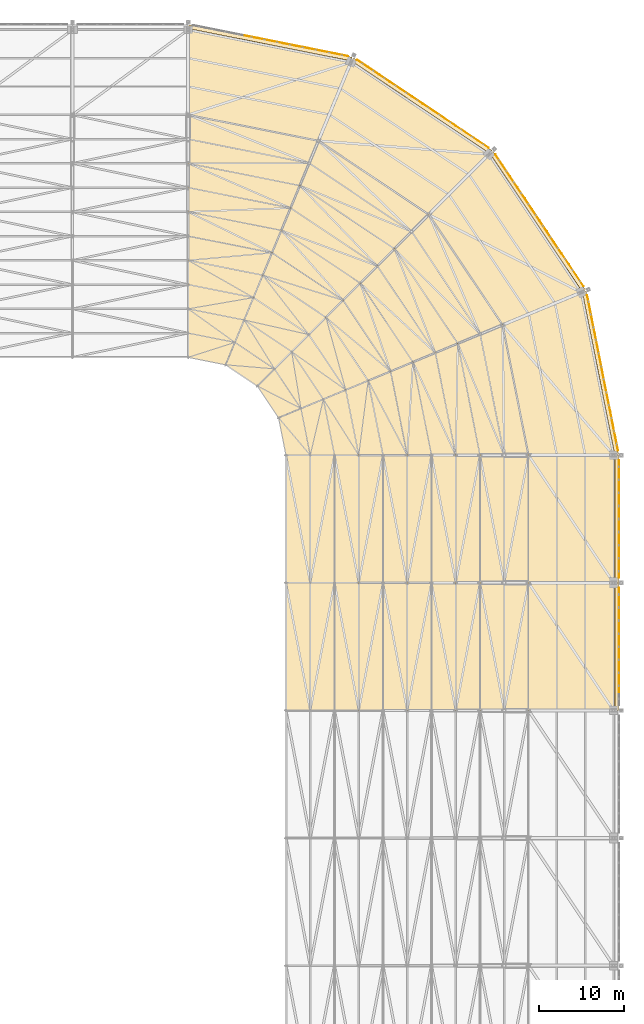
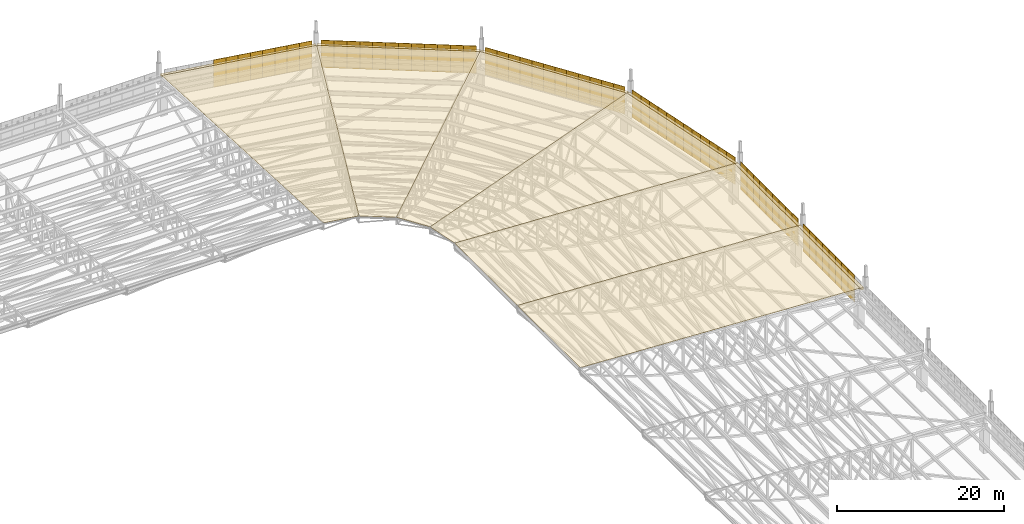
# One storey, part 278 of 278: 61 shading devices, 12 coverings.
"""IFC4 building model written with IfcOpenShell, lengths in metres."""

from ifc_helpers import new_model, si_unit, direction, frame, origin, origin_2d, place, context, subcontext, project, spatial, polyline, rectangle, outline, extrude, material, layer, layer_set, type_object, element, save


model = new_model("IFC4")

# Units and contexts
model_context = context("Model", 3, precision=1e-05, world=origin(), true_north=direction((0.0, 1.0)))
body_context = subcontext(model_context, "Body", "Model", "MODEL_VIEW")
ifc_project = project(units=[si_unit("LENGTHUNIT", "METRE"), si_unit("AREAUNIT", "SQUARE_METRE"), si_unit("VOLUMEUNIT", "CUBIC_METRE"), si_unit("PLANEANGLEUNIT", "RADIAN"), si_unit("MASSUNIT", "GRAM", prefix="KILO")], contexts=[model_context])

# Site, building, storey
site_placement = place(None, origin())
site = spatial("IfcSite", under=ifc_project, at=site_placement, CompositionType="ELEMENT")
building_placement = place(site_placement, origin())
building = spatial("IfcBuilding", under=site, at=building_placement, Name="Ogive Plaza Stadium", CompositionType="ELEMENT")
storey_placement = place(building_placement, frame((0.0, 0.0, 29.0)))
storey = spatial("IfcBuildingStorey", under=building, at=storey_placement, Name="Roof", CompositionType="ELEMENT", Elevation=29.0)

# Coverings
ifc_material_1 = material(Name="Titanium-zinc sheet", Category="metal")
ifc_layer_1 = layer(ifc_material_1, 0.010009765625)
ifc_layer_set_1 = layer_set([ifc_layer_1], Name="Eave box gutter")
covering_type_1 = type_object("IfcCoveringType", Name="Eave box gutter", PredefinedType="CLADDING", material=ifc_layer_set_1)
for number, where, z_axis, x_axis, name in (
    (1, (84.37744140625, 45.0, 5.2001953125), (0.0, 0.0, 1.0), (0.0, -1.0, 0.0), "EAVE GUTTER B01"),
    (2, (84.37744140625, 30.0, 5.2001953125), (0.0, 0.0, 1.0), (0.0, -1.0, 0.0), "EAVE GUTTER B02"),
):
    element("IfcCovering", number, at=place(storey_placement, frame(where, z_axis=z_axis, x_axis=x_axis)), inside=storey, type_object=covering_type_1, Name=name, PredefinedType="CLADDING", context=body_context, shape_type="SweptSolid", body=[
        extrude(rectangle(XDim=15.0, YDim=0.449951171875, at=origin_2d()), origin(), (0.0, 0.0, 1.0), 0.300048828125),
    ])
for number, where, z_axis, x_axis, name in (
    (3, (43.64013671875, 100.96435546875, 5.2001953125), (0.0, 0.0, 1.0), (0.980785280403, -0.195090322016, 0.0), "EAVE GUTTER B37"),
    (4, (61.452880859375, 93.5859375, 5.2001953125), (0.0, 0.0, 1.0), (0.831469612303, -0.55557023302, 0.0), "EAVE GUTTER B38"),
    (5, (75.0859375, 79.952880859375, 5.2001953125), (0.0, 0.0, 1.0), (0.55557023302, -0.831469612303, 0.0), "EAVE GUTTER B39"),
    (6, (82.46435546875, 62.14013671875, 5.2001953125), (0.0, 0.0, 1.0), (0.195090322016, -0.980785280403, 0.0), "EAVE GUTTER B40"),
):
    element("IfcCovering", number, at=place(storey_placement, frame(where, z_axis=z_axis, x_axis=x_axis)), inside=storey, type_object=covering_type_1, Name=name, PredefinedType="CLADDING", context=body_context, shape_type="SweptSolid", body=[
        extrude(rectangle(XDim=19.568603515625, YDim=0.449951171875, at=origin_2d()), origin(), (0.0, 0.0, 1.0), 0.300048828125),
    ])
ifc_material_2 = material(Name="PTFE-coated glass-fibre membrane", Category="glass")
ifc_layer_2 = layer(ifc_material_2, 0.050048828125)
ifc_layer_set_2 = layer_set([ifc_layer_2], Name="Roof membrane panel")
covering_type_2 = type_object("IfcCoveringType", Name="Roof membrane panel", PredefinedType="ROOFING", material=ifc_layer_set_2)
for number, where, z_axis, x_axis, name in (
    (7, (45.5, 52.5, 7.47509765625), (0.049937616944, 0.0, 0.998752338878), (0.998752338878, 0.0, -0.049937616944), "ROOF PANEL B01"),
    (8, (45.5, 37.5, 7.47509765625), (0.049937616944, 0.0, 0.998752338878), (0.998752338878, 0.0, -0.049937616944), "ROOF PANEL B02"),
):
    element("IfcCovering", number, at=place(storey_placement, frame(where, z_axis=z_axis, x_axis=x_axis)), inside=storey, type_object=covering_type_2, Name=name, PredefinedType="ROOFING", context=body_context, shape_type="SweptSolid", body=[
        extrude(outline(polyline([(0.0, 0.0), (38.7006290202315, 0.0), (38.7006290202315, -15.0), (0.0, -15.0), (0.0, 0.0)])), origin(), (0.0, 0.0, -1.0), 0.050048828125),
    ])
covering_1_placement = place(storey_placement, frame((34.0, 64.0, 7.47509765625), z_axis=(0.009932961892, 0.04993505547, 0.998703072241), x_axis=(9.74e-10, 0.998752343772, -0.049937519051)))
element("IfcCovering", 9, at=covering_1_placement, inside=storey, type_object=covering_type_2, Name="ROOF PANEL B37", PredefinedType="ROOFING", context=body_context, shape_type="SweptSolid", body=[
    extrude(outline(polyline([(0.0, 0.0), (38.70062902023132, 3.469446951953614e-18), (34.88776517183497, -19.19332964465389), (-0.8743959685589578, -4.401096064418014), (0.0, 0.0)])), origin(), (0.0, 0.0, -1.0), 0.050048828125),
])
covering_2_placement = place(storey_placement, frame((38.40087890625, 63.12451171875, 7.47509765625), z_axis=(0.028285334756, 0.0423334421, 0.998703068744), x_axis=(0.38220271868, 0.92272818434, -0.049937757847)))
element("IfcCovering", 10, at=covering_2_placement, inside=storey, type_object=covering_type_2, Name="ROOF PANEL B38", PredefinedType="ROOFING", context=body_context, shape_type="SweptSolid", body=[
    extrude(outline(polyline([(0.0, 0.0), (38.70067626959137, -1.4918621893400541e-15), (34.88788675244272, -19.19352237293038), (-0.8740802771596128, -4.401074481133384), (0.0, 0.0)])), origin(), (0.0, 0.0, -1.0), 0.050048828125),
])
covering_3_placement = place(storey_placement, frame((42.1318359375, 60.6318359375, 7.47509765625), z_axis=(0.0423334421, 0.028285334756, 0.998703068744), x_axis=(0.706224557813, 0.706224554973, -0.049937479857)))
element("IfcCovering", 11, at=covering_3_placement, inside=storey, type_object=covering_type_2, Name="ROOF PANEL B39", PredefinedType="ROOFING", context=body_context, shape_type="SweptSolid", body=[
    extrude(outline(polyline([(0.0, 0.0), (38.70057881295696, -1.2559397966072083e-15), (34.887552468526074, -19.19347532571769), (-0.8745046176349289, -4.400990183258547), (0.0, 0.0)])), origin(), (0.0, 0.0, -1.0), 0.050048828125),
])
covering_4_placement = place(storey_placement, frame((44.62451171875, 56.90087890625, 7.47509765625), z_axis=(0.04993505547, 0.009932961892, 0.998703072241), x_axis=(0.922728188002, 0.382202723424, -0.049937653868)))
element("IfcCovering", 12, at=covering_4_placement, inside=storey, type_object=covering_type_2, Name="ROOF PANEL B40", PredefinedType="ROOFING", context=body_context, shape_type="SweptSolid", body=[
    extrude(outline(polyline([(0.0, 0.0), (38.70067626959198, -8.81239525796218e-16), (34.88792729059308, -19.193352463754227), (-0.8741901880509053, -4.401136943243575), (0.0, 0.0)])), origin(), (0.0, 0.0, -1.0), 0.050048828125),
])

# Shading devices
ifc_material_3 = material(Name="Perforated bronze-anodised aluminium", Category="aluminium")
ifc_layer_3 = layer(ifc_material_3, 0.050048828125)
ifc_layer_set_3 = layer_set([ifc_layer_3], Name="Tracery screen panel")
shading_device_type = type_object("IfcShadingDeviceType", Name="Tracery screen panel", PredefinedType="SHUTTER", material=ifc_layer_set_3)
for number, where, z_axis, x_axis, name in (
    (13, (84.62744140625, 51.13330078125, 2.0), (0.0, 0.0, 1.0), (0.0, -1.0, 0.0), "TRACERY SCREEN B01 1"),
    (14, (84.62744140625, 49.60009765625, 2.0), (0.0, 0.0, 1.0), (0.0, -1.0, 0.0), "TRACERY SCREEN B01 2"),
    (15, (84.62744140625, 48.066650390625, 2.0), (0.0, 0.0, 1.0), (0.0, -1.0, 0.0), "TRACERY SCREEN B01 3"),
    (16, (84.62744140625, 46.533447265625, 2.0), (0.0, 0.0, 1.0), (0.0, -1.0, 0.0), "TRACERY SCREEN B01 4"),
    (17, (84.62744140625, 45.0, 2.0), (0.0, 0.0, 1.0), (0.0, -1.0, 0.0), "TRACERY SCREEN B01 5"),
    (18, (84.62744140625, 43.466552734375, 2.0), (0.0, 0.0, 1.0), (0.0, -1.0, 0.0), "TRACERY SCREEN B01 6"),
    (19, (84.62744140625, 41.933349609375, 2.0), (0.0, 0.0, 1.0), (0.0, -1.0, 0.0), "TRACERY SCREEN B01 7"),
    (20, (84.62744140625, 40.39990234375, 2.0), (0.0, 0.0, 1.0), (0.0, -1.0, 0.0), "TRACERY SCREEN B01 8"),
    (21, (84.62744140625, 38.86669921875, 2.0), (0.0, 0.0, 1.0), (0.0, -1.0, 0.0), "TRACERY SCREEN B01 9"),
    (22, (84.62744140625, 36.13330078125, 2.0), (0.0, 0.0, 1.0), (0.0, -1.0, 0.0), "TRACERY SCREEN B02 1"),
    (23, (84.62744140625, 34.60009765625, 2.0), (0.0, 0.0, 1.0), (0.0, -1.0, 0.0), "TRACERY SCREEN B02 2"),
    (24, (84.62744140625, 33.066650390625, 2.0), (0.0, 0.0, 1.0), (0.0, -1.0, 0.0), "TRACERY SCREEN B02 3"),
    (25, (84.62744140625, 31.533447265625, 2.0), (0.0, 0.0, 1.0), (0.0, -1.0, 0.0), "TRACERY SCREEN B02 4"),
    (26, (84.62744140625, 30.0, 2.0), (0.0, 0.0, 1.0), (0.0, -1.0, 0.0), "TRACERY SCREEN B02 5"),
    (27, (84.62744140625, 28.466552734375, 2.0), (0.0, 0.0, 1.0), (0.0, -1.0, 0.0), "TRACERY SCREEN B02 6"),
    (28, (84.62744140625, 26.933349609375, 2.0), (0.0, 0.0, 1.0), (0.0, -1.0, 0.0), "TRACERY SCREEN B02 7"),
    (29, (84.62744140625, 25.39990234375, 2.0), (0.0, 0.0, 1.0), (0.0, -1.0, 0.0), "TRACERY SCREEN B02 8"),
):
    element("IfcShadingDevice", number, at=place(storey_placement, frame(where, z_axis=z_axis, x_axis=x_axis)), inside=storey, type_object=shading_device_type, Name=name, PredefinedType="SHUTTER", context=body_context, shape_type="SweptSolid", body=[
        extrude(rectangle(XDim=1.533447265625, YDim=0.050048828125, at=origin_2d()), origin(), (0.0, 0.0, 1.0), 4.0),
    ])
for number, where, z_axis, x_axis, name in (
    (30, (41.405517578125, 101.66357421875, 2.0), (0.0, 0.0, 1.0), (0.980785280403, -0.195090322016, 0.0), "TRACERY SCREEN B37 5"),
    (31, (42.927734375, 101.36083984375, 2.0), (0.0, 0.0, 1.0), (0.980785280403, -0.195090322016, 0.0), "TRACERY SCREEN B37 6"),
    (32, (44.4501953125, 101.05810546875, 2.0), (0.0, 0.0, 1.0), (0.980785280403, -0.195090322016, 0.0), "TRACERY SCREEN B37 7"),
    (33, (45.972412109375, 100.755126953125, 2.0), (0.0, 0.0, 1.0), (0.980785280403, -0.195090322016, 0.0), "TRACERY SCREEN B37 8"),
    (34, (47.494873046875, 100.452392578125, 2.0), (0.0, 0.0, 1.0), (0.980785280403, -0.195090322016, 0.0), "TRACERY SCREEN B37 9"),
    (35, (49.01708984375, 100.149658203125, 2.0), (0.0, 0.0, 1.0), (0.980785280403, -0.195090322016, 0.0), "TRACERY SCREEN B37 10"),
    (36, (50.53955078125, 99.846923828125, 2.0), (0.0, 0.0, 1.0), (0.980785280403, -0.195090322016, 0.0), "TRACERY SCREEN B37 11"),
    (37, (52.061767578125, 99.5439453125, 2.0), (0.0, 0.0, 1.0), (0.980785280403, -0.195090322016, 0.0), "TRACERY SCREEN B37 12"),
    (38, (54.493408203125, 98.53662109375, 2.0), (0.0, 0.0, 1.0), (0.831469612303, -0.55557023302, 0.0), "TRACERY SCREEN B38 1"),
    (39, (55.7841796875, 97.67431640625, 2.0), (0.0, 0.0, 1.0), (0.831469612303, -0.55557023302, 0.0), "TRACERY SCREEN B38 2"),
    (40, (57.07470703125, 96.81201171875, 2.0), (0.0, 0.0, 1.0), (0.831469612303, -0.55557023302, 0.0), "TRACERY SCREEN B38 3"),
    (41, (58.365234375, 95.94970703125, 2.0), (0.0, 0.0, 1.0), (0.831469612303, -0.55557023302, 0.0), "TRACERY SCREEN B38 4"),
    (42, (59.65576171875, 95.08740234375, 2.0), (0.0, 0.0, 1.0), (0.831469612303, -0.55557023302, 0.0), "TRACERY SCREEN B38 5"),
    (43, (60.9462890625, 94.22509765625, 2.0), (0.0, 0.0, 1.0), (0.831469612303, -0.55557023302, 0.0), "TRACERY SCREEN B38 6"),
    (44, (62.237060546875, 93.36279296875, 2.0), (0.0, 0.0, 1.0), (0.831469612303, -0.55557023302, 0.0), "TRACERY SCREEN B38 7"),
    (45, (63.527587890625, 92.50048828125, 2.0), (0.0, 0.0, 1.0), (0.831469612303, -0.55557023302, 0.0), "TRACERY SCREEN B38 8"),
    (46, (64.818115234375, 91.637939453125, 2.0), (0.0, 0.0, 1.0), (0.831469612303, -0.55557023302, 0.0), "TRACERY SCREEN B38 9"),
    (47, (66.108642578125, 90.775634765625, 2.0), (0.0, 0.0, 1.0), (0.831469612303, -0.55557023302, 0.0), "TRACERY SCREEN B38 10"),
    (48, (67.399169921875, 89.913330078125, 2.0), (0.0, 0.0, 1.0), (0.831469612303, -0.55557023302, 0.0), "TRACERY SCREEN B38 11"),
    (49, (68.68994140625, 89.051025390625, 2.0), (0.0, 0.0, 1.0), (0.831469612303, -0.55557023302, 0.0), "TRACERY SCREEN B38 12"),
    (50, (70.551025390625, 87.18994140625, 2.0), (0.0, 0.0, 1.0), (0.55557023302, -0.831469612303, 0.0), "TRACERY SCREEN B39 1"),
    (51, (71.413330078125, 85.899169921875, 2.0), (0.0, 0.0, 1.0), (0.55557023302, -0.831469612303, 0.0), "TRACERY SCREEN B39 2"),
    (52, (72.275634765625, 84.608642578125, 2.0), (0.0, 0.0, 1.0), (0.55557023302, -0.831469612303, 0.0), "TRACERY SCREEN B39 3"),
    (53, (73.137939453125, 83.318115234375, 2.0), (0.0, 0.0, 1.0), (0.55557023302, -0.831469612303, 0.0), "TRACERY SCREEN B39 4"),
    (54, (74.00048828125, 82.027587890625, 2.0), (0.0, 0.0, 1.0), (0.55557023302, -0.831469612303, 0.0), "TRACERY SCREEN B39 5"),
    (55, (74.86279296875, 80.737060546875, 2.0), (0.0, 0.0, 1.0), (0.55557023302, -0.831469612303, 0.0), "TRACERY SCREEN B39 6"),
    (56, (75.72509765625, 79.4462890625, 2.0), (0.0, 0.0, 1.0), (0.55557023302, -0.831469612303, 0.0), "TRACERY SCREEN B39 7"),
    (57, (76.58740234375, 78.15576171875, 2.0), (0.0, 0.0, 1.0), (0.55557023302, -0.831469612303, 0.0), "TRACERY SCREEN B39 8"),
    (58, (77.44970703125, 76.865234375, 2.0), (0.0, 0.0, 1.0), (0.55557023302, -0.831469612303, 0.0), "TRACERY SCREEN B39 9"),
    (59, (78.31201171875, 75.57470703125, 2.0), (0.0, 0.0, 1.0), (0.55557023302, -0.831469612303, 0.0), "TRACERY SCREEN B39 10"),
    (60, (79.17431640625, 74.2841796875, 2.0), (0.0, 0.0, 1.0), (0.55557023302, -0.831469612303, 0.0), "TRACERY SCREEN B39 11"),
    (61, (80.03662109375, 72.993408203125, 2.0), (0.0, 0.0, 1.0), (0.55557023302, -0.831469612303, 0.0), "TRACERY SCREEN B39 12"),
    (62, (81.0439453125, 70.561767578125, 2.0), (0.0, 0.0, 1.0), (0.195090322016, -0.980785280403, 0.0), "TRACERY SCREEN B40 1"),
    (63, (81.346923828125, 69.03955078125, 2.0), (0.0, 0.0, 1.0), (0.195090322016, -0.980785280403, 0.0), "TRACERY SCREEN B40 2"),
    (64, (81.649658203125, 67.51708984375, 2.0), (0.0, 0.0, 1.0), (0.195090322016, -0.980785280403, 0.0), "TRACERY SCREEN B40 3"),
    (65, (81.952392578125, 65.994873046875, 2.0), (0.0, 0.0, 1.0), (0.195090322016, -0.980785280403, 0.0), "TRACERY SCREEN B40 4"),
    (66, (82.255126953125, 64.472412109375, 2.0), (0.0, 0.0, 1.0), (0.195090322016, -0.980785280403, 0.0), "TRACERY SCREEN B40 5"),
    (67, (82.55810546875, 62.9501953125, 2.0), (0.0, 0.0, 1.0), (0.195090322016, -0.980785280403, 0.0), "TRACERY SCREEN B40 6"),
    (68, (82.86083984375, 61.427734375, 2.0), (0.0, 0.0, 1.0), (0.195090322016, -0.980785280403, 0.0), "TRACERY SCREEN B40 7"),
    (69, (83.16357421875, 59.905517578125, 2.0), (0.0, 0.0, 1.0), (0.195090322016, -0.980785280403, 0.0), "TRACERY SCREEN B40 8"),
    (70, (83.466552734375, 58.383056640625, 2.0), (0.0, 0.0, 1.0), (0.195090322016, -0.980785280403, 0.0), "TRACERY SCREEN B40 9"),
    (71, (83.769287109375, 56.86083984375, 2.0), (0.0, 0.0, 1.0), (0.195090322016, -0.980785280403, 0.0), "TRACERY SCREEN B40 10"),
    (72, (84.072021484375, 55.33837890625, 2.0), (0.0, 0.0, 1.0), (0.195090322016, -0.980785280403, 0.0), "TRACERY SCREEN B40 11"),
    (73, (84.375, 53.816162109375, 2.0), (0.0, 0.0, 1.0), (0.195090322016, -0.980785280403, 0.0), "TRACERY SCREEN B40 12"),
):
    element("IfcShadingDevice", number, at=place(storey_placement, frame(where, z_axis=z_axis, x_axis=x_axis)), inside=storey, type_object=shading_device_type, Name=name, PredefinedType="SHUTTER", context=body_context, shape_type="SweptSolid", body=[
        extrude(rectangle(XDim=1.55224609375, YDim=0.050048828125, at=origin_2d()), origin(), (0.0, 0.0, 1.0), 4.0),
    ])

save(model, "model.ifc")
